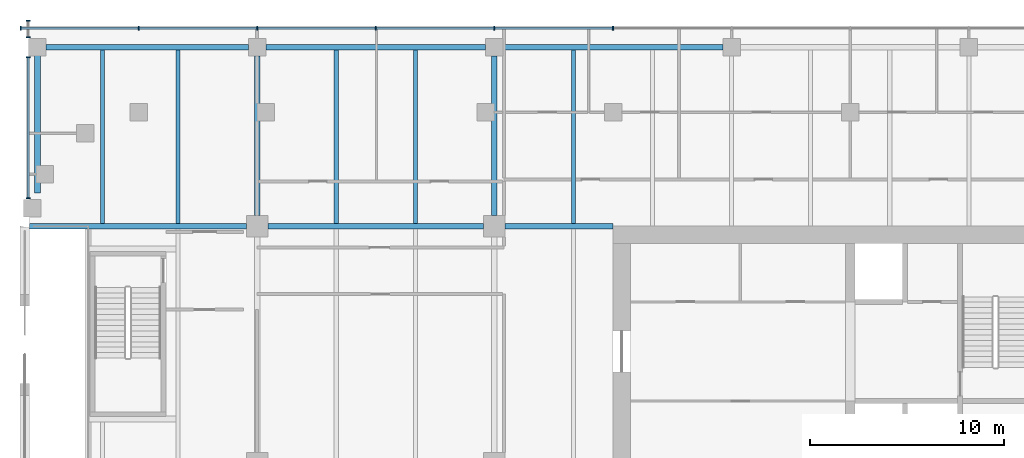
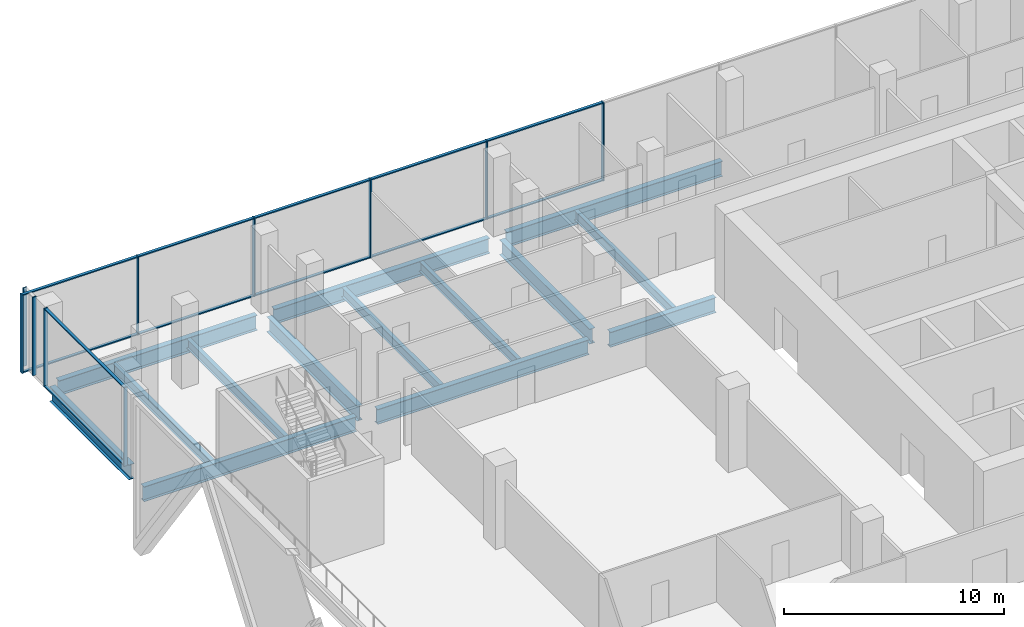
# One storey, part 4 of 33: 22 members, 14 beams, 3 elements without a shape of their own.
"""IFC4 building model written with IfcOpenShell, lengths in metres."""

from ifc_helpers import new_model, si_unit, direction, frame, origin, origin_2d, place, context, subcontext, project, spatial, rectangle, i_section, extrude, material, material_profile, profile_set, type_object, element, aggregate, save


model = new_model("IFC4")

# Units and contexts
model_context = context("Model", 3, precision=1e-05, world=origin(), true_north=direction((0.0, 1.0)))
body_context = subcontext(model_context, "Body", "Model", "MODEL_VIEW")
ifc_project = project(units=[si_unit("LENGTHUNIT", "METRE"), si_unit("AREAUNIT", "SQUARE_METRE"), si_unit("VOLUMEUNIT", "CUBIC_METRE"), si_unit("PLANEANGLEUNIT", "RADIAN"), si_unit("MASSUNIT", "GRAM", prefix="KILO")], contexts=[model_context])

# Site, building, storey
site_placement = place(None, origin())
site = spatial("IfcSite", under=ifc_project, at=site_placement, CompositionType="ELEMENT")
building_placement = place(site_placement, origin())
building = spatial("IfcBuilding", under=site, at=building_placement, Name="Tessera Gate Towers", CompositionType="ELEMENT")
storey_placement = place(building_placement, frame((0.0, 0.0, 12.0)))
storey = spatial("IfcBuildingStorey", under=building, at=storey_placement, Name="L02", CompositionType="ELEMENT", Elevation=12.0)

# Beams
ifc_material_1 = material(Name="Steel 350W", Category="steel")
ifc_material_profile_1 = material_profile(ifc_material_1, i_section(OverallWidth=0.2919921875, OverallDepth=0.8349609375, WebThickness=0.013916015625, FlangeThickness=0.018798828125, at=origin_2d()), Name="W840x176")
ifc_profile_set_1 = profile_set([ifc_material_profile_1], Name="Steel 350W")
beam_type_1 = type_object("IfcBeamType", Name="FLOOR GIRDER W840x176", PredefinedType="BEAM", material=ifc_profile_set_1)
beam_1_placement = place(storey_placement, frame((0.89990234375, 50.5, -0.66748046875), z_axis=(0.0, 1.0, 0.0), x_axis=(-1.0, 0.0, 0.0)))
element("IfcBeam", 1, at=beam_1_placement, inside=storey, type_object=beam_type_1, Name="PD-GD-L02-372", PredefinedType="BEAM", context=body_context, shape_type="SweptSolid", body=[
    extrude(i_section(OverallWidth=0.2919921875, OverallDepth=0.8349609375, WebThickness=0.013916015625, FlangeThickness=0.018798828125, at=origin_2d()), origin(), (0.0, 0.0, 1.0), 7.199951171875),
])
beam_2_placement = place(storey_placement, frame((0.4990234375, 48.800048828125, -0.66748046875), z_axis=(1.0, 0.0, 0.0), x_axis=(0.0, 1.0, 0.0)))
element("IfcBeam", 2, at=beam_2_placement, inside=storey, type_object=beam_type_1, Name="PD-GD-L02-398", PredefinedType="BEAM", context=body_context, shape_type="SweptSolid", body=[
    extrude(i_section(OverallWidth=0.2919921875, OverallDepth=0.8349609375, WebThickness=0.013916015625, FlangeThickness=0.018798828125, at=origin_2d()), origin(), (0.0, 0.0, 1.0), 11.15087890625),
])
beam_3_placement = place(storey_placement, frame((12.75, 48.800048828125, -0.66748046875), z_axis=(1.0, 0.0, 0.0), x_axis=(0.0, 1.0, 0.0)))
element("IfcBeam", 3, at=beam_3_placement, inside=storey, type_object=beam_type_1, Name="PD-GD-L02-399", PredefinedType="BEAM", context=body_context, shape_type="SweptSolid", body=[
    extrude(i_section(OverallWidth=0.2919921875, OverallDepth=0.8349609375, WebThickness=0.013916015625, FlangeThickness=0.018798828125, at=origin_2d()), origin(), (0.0, 0.0, 1.0), 11.10009765625),
])
beam_4_placement = place(storey_placement, frame((24.949951171875, 48.800048828125, -0.66748046875), z_axis=(1.0, 0.0, 0.0), x_axis=(0.0, 1.0, 0.0)))
element("IfcBeam", 4, at=beam_4_placement, inside=storey, type_object=beam_type_1, Name="PD-GD-L02-400", PredefinedType="BEAM", context=body_context, shape_type="SweptSolid", body=[
    extrude(i_section(OverallWidth=0.2919921875, OverallDepth=0.8349609375, WebThickness=0.013916015625, FlangeThickness=0.018798828125, at=origin_2d()), origin(), (0.0, 0.0, 1.0), 5.549072265625),
])
beam_5_placement = place(storey_placement, frame((1.35009765625, 58.0, -0.66748046875), z_axis=(1.0, 0.0, 0.0), x_axis=(0.0, 1.0, 0.0)))
element("IfcBeam", 5, at=beam_5_placement, inside=storey, type_object=beam_type_1, Name="PD-GD-L02-406", PredefinedType="BEAM", context=body_context, shape_type="SweptSolid", body=[
    extrude(i_section(OverallWidth=0.2919921875, OverallDepth=0.8349609375, WebThickness=0.013916015625, FlangeThickness=0.018798828125, at=origin_2d()), origin(), (0.0, 0.0, 1.0), 10.39990234375),
])
beam_6_placement = place(storey_placement, frame((12.64990234375, 58.0, -0.66748046875), z_axis=(1.0, 0.0, 0.0), x_axis=(0.0, 1.0, 0.0)))
element("IfcBeam", 6, at=beam_6_placement, inside=storey, type_object=beam_type_1, Name="PD-GD-L02-407", PredefinedType="BEAM", context=body_context, shape_type="SweptSolid", body=[
    extrude(i_section(OverallWidth=0.2919921875, OverallDepth=0.8349609375, WebThickness=0.013916015625, FlangeThickness=0.018798828125, at=origin_2d()), origin(), (0.0, 0.0, 1.0), 11.300048828125),
])
beam_7_placement = place(storey_placement, frame((24.85009765625, 58.0, -0.66748046875), z_axis=(1.0, 0.0, 0.0), x_axis=(0.0, 1.0, 0.0)))
element("IfcBeam", 7, at=beam_7_placement, inside=storey, type_object=beam_type_1, Name="PD-GD-L02-408", PredefinedType="BEAM", context=body_context, shape_type="SweptSolid", body=[
    extrude(i_section(OverallWidth=0.2919921875, OverallDepth=0.8349609375, WebThickness=0.013916015625, FlangeThickness=0.018798828125, at=origin_2d()), origin(), (0.0, 0.0, 1.0), 11.2998046875),
])
for number, where, z_axis, x_axis, name in (
    (8, (12.199951171875, 49.35009765625, -0.66748046875), (0.0, 1.0, 0.0), (-1.0, 0.0, 0.0), "PD-GD-L02-418"),
    (9, (24.39990234375, 49.35009765625, -0.66748046875), (0.0, 1.0, 0.0), (-1.0, 0.0, 0.0), "PD-GD-L02-422"),
):
    element("IfcBeam", number, at=place(storey_placement, frame(where, z_axis=z_axis, x_axis=x_axis)), inside=storey, type_object=beam_type_1, Name=name, PredefinedType="BEAM", context=body_context, shape_type="SweptSolid", body=[
        extrude(i_section(OverallWidth=0.2919921875, OverallDepth=0.8349609375, WebThickness=0.013916015625, FlangeThickness=0.018798828125, at=origin_2d()), origin(), (0.0, 0.0, 1.0), 8.199951171875),
    ])
ifc_material_2 = material(Name="Steel 350W", Category="steel")
ifc_material_profile_2 = material_profile(ifc_material_2, i_section(OverallWidth=0.208984375, OverallDepth=0.528076171875, WebThickness=0.009521484375, FlangeThickness=0.01318359375, at=origin_2d()), Name="W530x82")
ifc_profile_set_2 = profile_set([ifc_material_profile_2], Name="Steel 350W")
beam_type_2 = type_object("IfcBeamType", Name="FLOOR SECONDARY W530x82", PredefinedType="BEAM", material=ifc_profile_set_2)
for number, where, z_axis, x_axis, name in (
    (10, (4.25048828125, 48.946044921875, -0.513916015625), (0.0, 1.0, 0.0), (-1.0, 0.0, 0.0), "PD-BM-L02-454"),
    (11, (8.13330078125, 48.946044921875, -0.513916015625), (0.0, 1.0, 0.0), (-1.0, 0.0, 0.0), "PD-BM-L02-458"),
    (12, (16.2666015625, 48.946044921875, -0.513916015625), (0.0, 1.0, 0.0), (-1.0, 0.0, 0.0), "PD-BM-L02-462"),
    (13, (20.333251953125, 48.946044921875, -0.513916015625), (0.0, 1.0, 0.0), (-1.0, 0.0, 0.0), "PD-BM-L02-467"),
    (14, (28.466796875, 48.946044921875, -0.513916015625), (0.0, 1.0, 0.0), (-1.0, 0.0, 0.0), "PD-BM-L02-473"),
):
    element("IfcBeam", number, at=place(storey_placement, frame(where, z_axis=z_axis, x_axis=x_axis)), inside=storey, type_object=beam_type_2, Name=name, PredefinedType="BEAM", context=body_context, shape_type="SweptSolid", body=[
        extrude(i_section(OverallWidth=0.208984375, OverallDepth=0.528076171875, WebThickness=0.009521484375, FlangeThickness=0.01318359375, at=origin_2d()), origin(), (0.0, 0.0, 1.0), 8.907958984375),
    ])

# Curtain wall, members
ifc_material_3 = material(Name="Aluminium frame", Category="aluminium")
curtain_wall_type = type_object("IfcCurtainWallType", Name="CW-S1 podium storefront", PredefinedType="NOTDEFINED", material=ifc_material_3)
curtain_wall_1_placement = place(storey_placement, origin())
curtain_wall_1 = element("IfcCurtainWall", 15, at=curtain_wall_1_placement, inside=storey, type_object=curtain_wall_type, Name="Curtain wall podium storefront 0211", PredefinedType="NOTDEFINED")
ifc_material_4 = material(Name="Aluminium frame", Category="aluminium")
ifc_material_profile_3 = material_profile(ifc_material_4, rectangle(XDim=0.06005859375, YDim=0.199951171875, at=origin_2d()), Name="AL 60x200")
ifc_profile_set_3 = profile_set([ifc_material_profile_3], Name="Aluminium frame")
member_type_1 = type_object("IfcMemberType", Name="MU-S1 mullion 60x200", PredefinedType="MULLION", material=ifc_profile_set_3)
member_1_placement = place(storey_placement, frame((30.5, 58.97509765625, 0.0), z_axis=(0.0, 0.0, 1.0), x_axis=(-1.0, 0.0, 0.0)))
member_1 = element("IfcMember", 16, at=member_1_placement, type_object=member_type_1, Name="PD-CW1-0211 mullion 6", PredefinedType="MULLION", context=body_context, shape_type="SweptSolid", body=[
    extrude(rectangle(XDim=0.06005859375, YDim=0.199951171875, at=origin_2d()), origin(), (0.0, 0.0, 1.0), 4.35009765625),
])
member_2_placement = place(storey_placement, frame((24.39990234375, 58.97509765625, 0.0), z_axis=(0.0, 0.0, 1.0), x_axis=(-1.0, 0.0, 0.0)))
member_2 = element("IfcMember", 17, at=member_2_placement, type_object=member_type_1, Name="PD-CW1-0211 mullion 7", PredefinedType="MULLION", context=body_context, shape_type="SweptSolid", body=[
    extrude(rectangle(XDim=0.06005859375, YDim=0.199951171875, at=origin_2d()), origin(), (0.0, 0.0, 1.0), 4.35009765625),
])
member_3_placement = place(storey_placement, frame((18.300048828125, 58.97509765625, 0.0), z_axis=(0.0, 0.0, 1.0), x_axis=(-1.0, 0.0, 0.0)))
member_3 = element("IfcMember", 18, at=member_3_placement, type_object=member_type_1, Name="PD-CW1-0211 mullion 8", PredefinedType="MULLION", context=body_context, shape_type="SweptSolid", body=[
    extrude(rectangle(XDim=0.06005859375, YDim=0.199951171875, at=origin_2d()), origin(), (0.0, 0.0, 1.0), 4.35009765625),
])
member_4_placement = place(storey_placement, frame((12.199951171875, 58.97509765625, 0.0), z_axis=(0.0, 0.0, 1.0), x_axis=(-1.0, 0.0, 0.0)))
member_4 = element("IfcMember", 19, at=member_4_placement, type_object=member_type_1, Name="PD-CW1-0211 mullion 9", PredefinedType="MULLION", context=body_context, shape_type="SweptSolid", body=[
    extrude(rectangle(XDim=0.06005859375, YDim=0.199951171875, at=origin_2d()), origin(), (0.0, 0.0, 1.0), 4.35009765625),
])
member_5_placement = place(storey_placement, frame((6.10009765625, 58.97509765625, 0.0), z_axis=(0.0, 0.0, 1.0), x_axis=(-1.0, 0.0, 0.0)))
member_5 = element("IfcMember", 20, at=member_5_placement, type_object=member_type_1, Name="PD-CW1-0211 mullion 10", PredefinedType="MULLION", context=body_context, shape_type="SweptSolid", body=[
    extrude(rectangle(XDim=0.06005859375, YDim=0.199951171875, at=origin_2d()), origin(), (0.0, 0.0, 1.0), 4.35009765625),
])
member_6_placement = place(storey_placement, frame((0.030029296875, 58.97509765625, 0.0), z_axis=(0.0, 0.0, 1.0), x_axis=(-1.0, 0.0, 0.0)))
member_6 = element("IfcMember", 21, at=member_6_placement, type_object=member_type_1, Name="PD-CW1-0211 mullion 11", PredefinedType="MULLION", context=body_context, shape_type="SweptSolid", body=[
    extrude(rectangle(XDim=0.06005859375, YDim=0.199951171875, at=origin_2d()), origin(), (0.0, 0.0, 1.0), 4.35009765625),
])

curtain_wall_2_placement = place(storey_placement, origin())
curtain_wall_2 = element("IfcCurtainWall", 22, at=curtain_wall_2_placement, inside=storey, type_object=curtain_wall_type, Name="Curtain wall podium storefront 0216", PredefinedType="NOTDEFINED")
member_7_placement = place(storey_placement, frame((0.425048828125, 59.3701171875, 0.0), z_axis=(0.0, 0.0, 1.0), x_axis=(0.0, -1.0, 0.0)))
member_7 = element("IfcMember", 23, at=member_7_placement, type_object=member_type_1, Name="PD-CW1-0216 mullion 1", PredefinedType="MULLION", context=body_context, shape_type="SweptSolid", body=[
    extrude(rectangle(XDim=0.06005859375, YDim=0.199951171875, at=origin_2d()), origin(), (0.0, 0.0, 1.0), 4.35009765625),
])
member_8_placement = place(storey_placement, frame((0.425048828125, 58.510009765625, 0.0), z_axis=(0.0, 0.0, 1.0), x_axis=(0.0, -1.0, 0.0)))
member_8 = element("IfcMember", 24, at=member_8_placement, type_object=member_type_1, Name="PD-CW1-0216 mullion 2", PredefinedType="MULLION", context=body_context, shape_type="SweptSolid", body=[
    extrude(rectangle(XDim=0.06005859375, YDim=0.199951171875, at=origin_2d()), origin(), (0.0, 0.0, 1.0), 4.35009765625),
])
aggregate(curtain_wall_2, [member_7, member_8])

curtain_wall_3_placement = place(storey_placement, origin())
curtain_wall_3 = element("IfcCurtainWall", 25, at=curtain_wall_3_placement, inside=storey, type_object=curtain_wall_type, Name="Curtain wall podium storefront 0217", PredefinedType="NOTDEFINED")
member_9_placement = place(storey_placement, frame((0.425048828125, 57.489990234375, 0.0), z_axis=(0.0, 0.0, 1.0), x_axis=(0.0, -1.0, 0.0)))
member_9 = element("IfcMember", 26, at=member_9_placement, type_object=member_type_1, Name="PD-CW1-0217 mullion 1", PredefinedType="MULLION", context=body_context, shape_type="SweptSolid", body=[
    extrude(rectangle(XDim=0.06005859375, YDim=0.199951171875, at=origin_2d()), origin(), (0.0, 0.0, 1.0), 4.35009765625),
])
member_10_placement = place(storey_placement, frame((0.425048828125, 50.22998046875, 0.0), z_axis=(0.0, 0.0, 1.0), x_axis=(0.0, -1.0, 0.0)))
member_10 = element("IfcMember", 27, at=member_10_placement, type_object=member_type_1, Name="PD-CW1-0217 mullion 2", PredefinedType="MULLION", context=body_context, shape_type="SweptSolid", body=[
    extrude(rectangle(XDim=0.06005859375, YDim=0.199951171875, at=origin_2d()), origin(), (0.0, 0.0, 1.0), 4.35009765625),
])

# Member
ifc_material_5 = material(Name="Aluminium frame", Category="aluminium")
ifc_material_profile_4 = material_profile(ifc_material_5, rectangle(XDim=0.14990234375, YDim=0.06005859375, at=origin_2d()), Name="AL 60x150")
ifc_profile_set_4 = profile_set([ifc_material_profile_4], Name="Aluminium frame")
member_type_2 = type_object("IfcMemberType", Name="TR-S1 transom 60x150", PredefinedType="USERDEFINED", material=ifc_profile_set_4)
member_11_placement = place(storey_placement, frame((30.469970703125, 58.97509765625, 0.030029296875), z_axis=(-1.0, 0.0, 0.0), x_axis=(0.0, -1.0, 0.0)))
member_11 = element("IfcMember", 28, at=member_11_placement, type_object=member_type_2, Name="PD-CW1-0211 transom 6.1", ObjectType="TRANSOM", PredefinedType="USERDEFINED", context=body_context, shape_type="SweptSolid", body=[
    extrude(rectangle(XDim=0.14990234375, YDim=0.06005859375, at=origin_2d()), origin(), (0.0, 0.0, 1.0), 6.0400390625),
])

member_12_placement = place(storey_placement, frame((30.469970703125, 58.97509765625, 4.320068359375), z_axis=(-1.0, 0.0, 0.0), x_axis=(0.0, -1.0, 0.0)))
member_12 = element("IfcMember", 29, at=member_12_placement, type_object=member_type_2, Name="PD-CW1-0211 transom 6.2", ObjectType="TRANSOM", PredefinedType="USERDEFINED", context=body_context, shape_type="SweptSolid", body=[
    extrude(rectangle(XDim=0.14990234375, YDim=0.06005859375, at=origin_2d()), origin(), (0.0, 0.0, 1.0), 6.0400390625),
])

member_13_placement = place(storey_placement, frame((24.3701171875, 58.97509765625, 0.030029296875), z_axis=(-1.0, 0.0, 0.0), x_axis=(0.0, -1.0, 0.0)))
member_13 = element("IfcMember", 30, at=member_13_placement, type_object=member_type_2, Name="PD-CW1-0211 transom 7.1", ObjectType="TRANSOM", PredefinedType="USERDEFINED", context=body_context, shape_type="SweptSolid", body=[
    extrude(rectangle(XDim=0.14990234375, YDim=0.06005859375, at=origin_2d()), origin(), (0.0, 0.0, 1.0), 6.0400390625),
])

member_14_placement = place(storey_placement, frame((24.3701171875, 58.97509765625, 4.320068359375), z_axis=(-1.0, 0.0, 0.0), x_axis=(0.0, -1.0, 0.0)))
member_14 = element("IfcMember", 31, at=member_14_placement, type_object=member_type_2, Name="PD-CW1-0211 transom 7.2", ObjectType="TRANSOM", PredefinedType="USERDEFINED", context=body_context, shape_type="SweptSolid", body=[
    extrude(rectangle(XDim=0.14990234375, YDim=0.06005859375, at=origin_2d()), origin(), (0.0, 0.0, 1.0), 6.0400390625),
])

member_15_placement = place(storey_placement, frame((18.27001953125, 58.97509765625, 0.030029296875), z_axis=(-1.0, 0.0, 0.0), x_axis=(0.0, -1.0, 0.0)))
member_15 = element("IfcMember", 32, at=member_15_placement, type_object=member_type_2, Name="PD-CW1-0211 transom 8.1", ObjectType="TRANSOM", PredefinedType="USERDEFINED", context=body_context, shape_type="SweptSolid", body=[
    extrude(rectangle(XDim=0.14990234375, YDim=0.06005859375, at=origin_2d()), origin(), (0.0, 0.0, 1.0), 6.0400390625),
])

member_16_placement = place(storey_placement, frame((18.27001953125, 58.97509765625, 4.320068359375), z_axis=(-1.0, 0.0, 0.0), x_axis=(0.0, -1.0, 0.0)))
member_16 = element("IfcMember", 33, at=member_16_placement, type_object=member_type_2, Name="PD-CW1-0211 transom 8.2", ObjectType="TRANSOM", PredefinedType="USERDEFINED", context=body_context, shape_type="SweptSolid", body=[
    extrude(rectangle(XDim=0.14990234375, YDim=0.06005859375, at=origin_2d()), origin(), (0.0, 0.0, 1.0), 6.0400390625),
])

member_17_placement = place(storey_placement, frame((12.169921875, 58.97509765625, 0.030029296875), z_axis=(-1.0, 0.0, 0.0), x_axis=(0.0, -1.0, 0.0)))
member_17 = element("IfcMember", 34, at=member_17_placement, type_object=member_type_2, Name="PD-CW1-0211 transom 9.1", ObjectType="TRANSOM", PredefinedType="USERDEFINED", context=body_context, shape_type="SweptSolid", body=[
    extrude(rectangle(XDim=0.14990234375, YDim=0.06005859375, at=origin_2d()), origin(), (0.0, 0.0, 1.0), 6.0400390625),
])

member_18_placement = place(storey_placement, frame((12.169921875, 58.97509765625, 4.320068359375), z_axis=(-1.0, 0.0, 0.0), x_axis=(0.0, -1.0, 0.0)))
member_18 = element("IfcMember", 35, at=member_18_placement, type_object=member_type_2, Name="PD-CW1-0211 transom 9.2", ObjectType="TRANSOM", PredefinedType="USERDEFINED", context=body_context, shape_type="SweptSolid", body=[
    extrude(rectangle(XDim=0.14990234375, YDim=0.06005859375, at=origin_2d()), origin(), (0.0, 0.0, 1.0), 6.0400390625),
])

member_19_placement = place(storey_placement, frame((6.070068359375, 58.97509765625, 0.030029296875), z_axis=(-1.0, 0.0, 0.0), x_axis=(0.0, -1.0, 0.0)))
member_19 = element("IfcMember", 36, at=member_19_placement, type_object=member_type_2, Name="PD-CW1-0211 transom 10.1", ObjectType="TRANSOM", PredefinedType="USERDEFINED", context=body_context, shape_type="SweptSolid", body=[
    extrude(rectangle(XDim=0.14990234375, YDim=0.06005859375, at=origin_2d()), origin(), (0.0, 0.0, 1.0), 6.010009765625),
])

member_20_placement = place(storey_placement, frame((6.070068359375, 58.97509765625, 4.320068359375), z_axis=(-1.0, 0.0, 0.0), x_axis=(0.0, -1.0, 0.0)))
member_20 = element("IfcMember", 37, at=member_20_placement, type_object=member_type_2, Name="PD-CW1-0211 transom 10.2", ObjectType="TRANSOM", PredefinedType="USERDEFINED", context=body_context, shape_type="SweptSolid", body=[
    extrude(rectangle(XDim=0.14990234375, YDim=0.06005859375, at=origin_2d()), origin(), (0.0, 0.0, 1.0), 6.010009765625),
])

aggregate(curtain_wall_1, [member_1, member_2, member_3, member_4, member_5, member_6, member_11, member_12, member_13, member_14, member_15, member_16, member_17, member_18, member_19, member_20])

member_21_placement = place(storey_placement, frame((0.425048828125, 57.4599609375, 0.030029296875), z_axis=(0.0, -1.0, 0.0), x_axis=(1.0, 0.0, 0.0)))
member_21 = element("IfcMember", 38, at=member_21_placement, type_object=member_type_2, Name="PD-CW1-0217 transom 1.1", ObjectType="TRANSOM", PredefinedType="USERDEFINED", context=body_context, shape_type="SweptSolid", body=[
    extrude(rectangle(XDim=0.14990234375, YDim=0.06005859375, at=origin_2d()), origin(), (0.0, 0.0, 1.0), 7.199951171875),
])

member_22_placement = place(storey_placement, frame((0.425048828125, 57.4599609375, 4.320068359375), z_axis=(0.0, -1.0, 0.0), x_axis=(1.0, 0.0, 0.0)))
member_22 = element("IfcMember", 39, at=member_22_placement, type_object=member_type_2, Name="PD-CW1-0217 transom 1.2", ObjectType="TRANSOM", PredefinedType="USERDEFINED", context=body_context, shape_type="SweptSolid", body=[
    extrude(rectangle(XDim=0.14990234375, YDim=0.06005859375, at=origin_2d()), origin(), (0.0, 0.0, 1.0), 7.199951171875),
])

aggregate(curtain_wall_3, [member_9, member_10, member_21, member_22])

save(model, "model.ifc")
